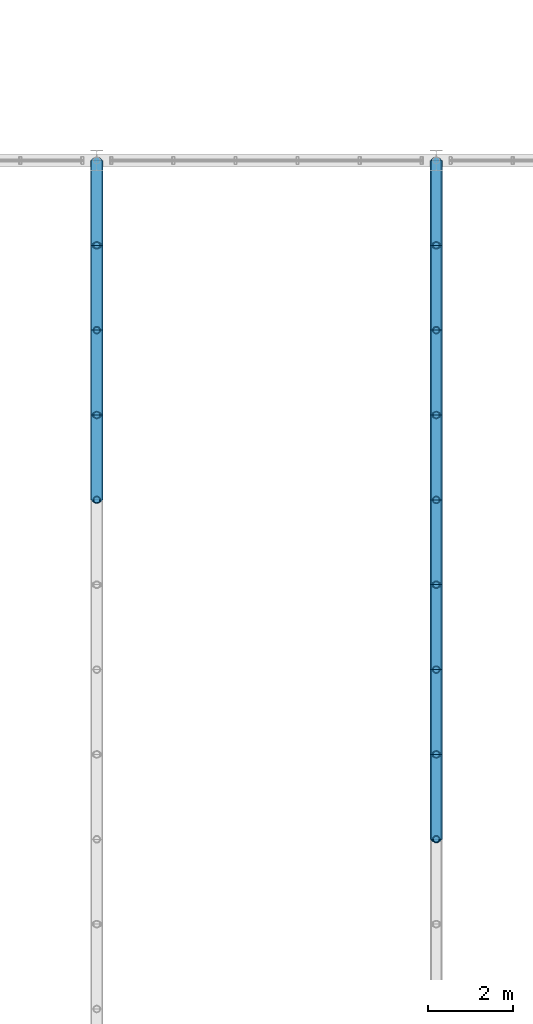
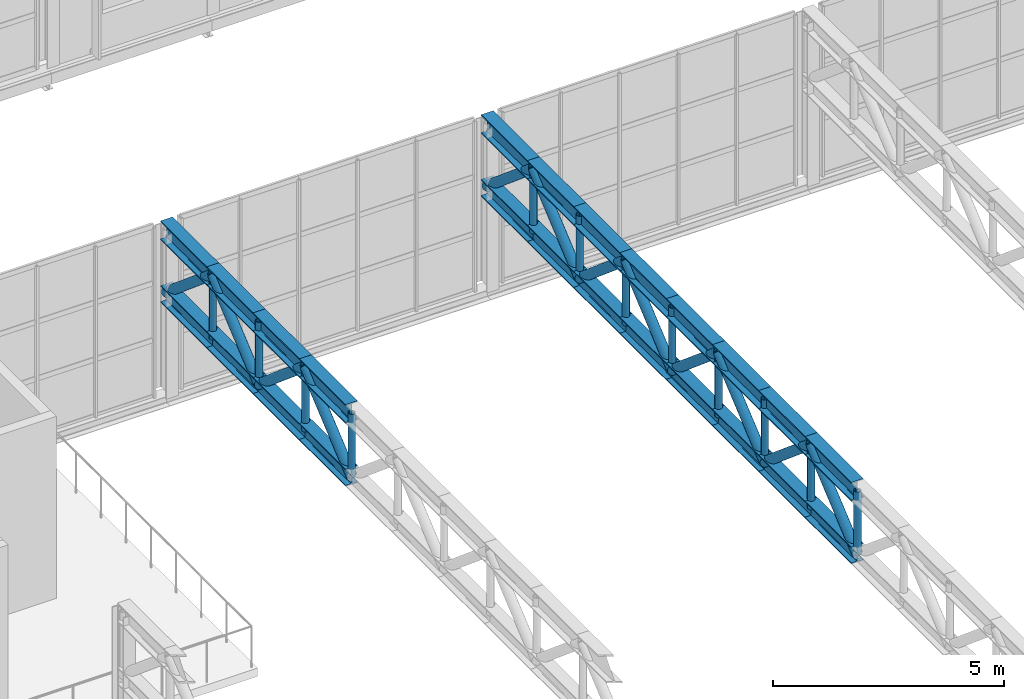
# One storey, part 50 of 143: 48 members.
"""IFC4 building model written with IfcOpenShell, lengths in metres."""

from ifc_helpers import new_model, si_unit, derived_unit, direction, frame, origin, origin_2d, place, context, subcontext, project, spatial, hollow_circle, i_section, extrude, material, material_profile, profile_set, type_object, element, save


model = new_model("IFC4")

# Units and contexts
model_context = context("Model", 3, precision=1e-05, world=origin(), true_north=direction((0.0, 1.0)))
body_context = subcontext(model_context, "Body", "Model", "MODEL_VIEW")
ifc_project = project(units=[si_unit("LENGTHUNIT", "METRE"), si_unit("AREAUNIT", "SQUARE_METRE"), si_unit("VOLUMEUNIT", "CUBIC_METRE"), si_unit("PLANEANGLEUNIT", "RADIAN"), si_unit("MASSUNIT", "GRAM", prefix="KILO"), derived_unit("THERMALTRANSMITTANCEUNIT", [(si_unit("POWERUNIT", "WATT"), 1), (si_unit("LENGTHUNIT", "METRE"), -2), (si_unit("THERMODYNAMICTEMPERATUREUNIT", "KELVIN"), -1)])], contexts=[model_context])

# Site, building, storey
site_placement = place(None, origin())
site = spatial("IfcSite", under=ifc_project, at=site_placement, CompositionType="ELEMENT")
building_placement = place(site_placement, origin())
building = spatial("IfcBuilding", under=site, at=building_placement, Name="Keldorne Ridge Multi-Sports Centre", CompositionType="ELEMENT")
storey_placement = place(building_placement, frame((0.0, 0.0, 4.800048828125)))
storey = spatial("IfcBuildingStorey", under=building, at=storey_placement, Name="L01", CompositionType="ELEMENT", Elevation=4.800048828125)

# Members
ifc_material = material(Name="Steel S355", Category="steel")
ifc_material_profile_1 = material_profile(ifc_material, i_section(OverallWidth=0.300048828125, OverallDepth=0.5, WebThickness=0.014404296875, FlangeThickness=0.028076171875, FilletRadius=0.027099609375, at=origin_2d()), Name="HEB 500")
ifc_profile_set_1 = profile_set([ifc_material_profile_1], Name="Steel S355")
member_type_1 = type_object("IfcMemberType", Name="MEM-TC-03", PredefinedType="CHORD", material=ifc_profile_set_1)
for number, where, z_axis, x_axis, name in (
    (1, (120.0, 46.0, 4.31005859375), (0.0, 1.0, 0.0), (-1.0, 0.0, 0.0), "Stacked Courts Warren TRUSS WT-L02-03 top chord 21"),
    (2, (120.0, 48.0, 4.31005859375), (0.0, 1.0, 0.0), (-1.0, 0.0, 0.0), "Stacked Courts Warren TRUSS WT-L02-03 top chord 22"),
    (3, (120.0, 50.0, 4.31005859375), (0.0, 1.0, 0.0), (-1.0, 0.0, 0.0), "Stacked Courts Warren TRUSS WT-L02-03 top chord 23"),
    (4, (120.0, 52.0, 4.31005859375), (0.0, 1.0, 0.0), (-1.0, 0.0, 0.0), "Stacked Courts Warren TRUSS WT-L02-03 top chord 24"),
    (5, (128.0, 38.0, 4.31005859375), (0.0, 1.0, 0.0), (-1.0, 0.0, 0.0), "Stacked Courts Warren TRUSS WT-L02-04 top chord 17"),
    (6, (128.0, 40.0, 4.31005859375), (0.0, 1.0, 0.0), (-1.0, 0.0, 0.0), "Stacked Courts Warren TRUSS WT-L02-04 top chord 18"),
    (7, (128.0, 42.0, 4.31005859375), (0.0, 1.0, 0.0), (-1.0, 0.0, 0.0), "Stacked Courts Warren TRUSS WT-L02-04 top chord 19"),
    (8, (128.0, 44.0, 4.31005859375), (0.0, 1.0, 0.0), (-1.0, 0.0, 0.0), "Stacked Courts Warren TRUSS WT-L02-04 top chord 20"),
    (9, (128.0, 46.0, 4.31005859375), (0.0, 1.0, 0.0), (-1.0, 0.0, 0.0), "Stacked Courts Warren TRUSS WT-L02-04 top chord 21"),
    (10, (128.0, 48.0, 4.31005859375), (0.0, 1.0, 0.0), (-1.0, 0.0, 0.0), "Stacked Courts Warren TRUSS WT-L02-04 top chord 22"),
    (11, (128.0, 50.0, 4.31005859375), (0.0, 1.0, 0.0), (-1.0, 0.0, 0.0), "Stacked Courts Warren TRUSS WT-L02-04 top chord 23"),
    (12, (128.0, 52.0, 4.31005859375), (0.0, 1.0, 0.0), (-1.0, 0.0, 0.0), "Stacked Courts Warren TRUSS WT-L02-04 top chord 24"),
):
    element("IfcMember", number, at=place(storey_placement, frame(where, z_axis=z_axis, x_axis=x_axis)), inside=storey, type_object=member_type_1, Name=name, PredefinedType="CHORD", context=body_context, shape_type="SweptSolid", body=[
        extrude(i_section(OverallWidth=0.300048828125, OverallDepth=0.5, WebThickness=0.014404296875, FlangeThickness=0.028076171875, FilletRadius=0.027099609375, at=origin_2d()), origin(), (0.0, 0.0, 1.0), 2.0),
    ])
ifc_material_profile_2 = material_profile(ifc_material, i_section(OverallWidth=0.300048828125, OverallDepth=0.449951171875, WebThickness=0.013916015625, FlangeThickness=0.02587890625, FilletRadius=0.027099609375, at=origin_2d()), Name="HEB 450")
ifc_profile_set_2 = profile_set([ifc_material_profile_2], Name="Steel S355")
member_type_2 = type_object("IfcMemberType", Name="MEM-TC-04", PredefinedType="CHORD", material=ifc_profile_set_2)
for number, where, z_axis, x_axis, name in (
    (13, (120.0, 46.0, 2.6298828125), (0.0, 1.0, 0.0), (-1.0, 0.0, 0.0), "Stacked Courts Warren TRUSS WT-L02-03 bottom chord 21"),
    (14, (120.0, 48.0, 2.6298828125), (0.0, 1.0, 0.0), (-1.0, 0.0, 0.0), "Stacked Courts Warren TRUSS WT-L02-03 bottom chord 22"),
    (15, (120.0, 50.0, 2.6298828125), (0.0, 1.0, 0.0), (-1.0, 0.0, 0.0), "Stacked Courts Warren TRUSS WT-L02-03 bottom chord 23"),
    (16, (120.0, 52.0, 2.6298828125), (0.0, 1.0, 0.0), (-1.0, 0.0, 0.0), "Stacked Courts Warren TRUSS WT-L02-03 bottom chord 24"),
    (17, (128.0, 38.0, 2.6298828125), (0.0, 1.0, 0.0), (-1.0, 0.0, 0.0), "Stacked Courts Warren TRUSS WT-L02-04 bottom chord 17"),
    (18, (128.0, 40.0, 2.6298828125), (0.0, 1.0, 0.0), (-1.0, 0.0, 0.0), "Stacked Courts Warren TRUSS WT-L02-04 bottom chord 18"),
    (19, (128.0, 42.0, 2.6298828125), (0.0, 1.0, 0.0), (-1.0, 0.0, 0.0), "Stacked Courts Warren TRUSS WT-L02-04 bottom chord 19"),
    (20, (128.0, 44.0, 2.6298828125), (0.0, 1.0, 0.0), (-1.0, 0.0, 0.0), "Stacked Courts Warren TRUSS WT-L02-04 bottom chord 20"),
    (21, (128.0, 46.0, 2.6298828125), (0.0, 1.0, 0.0), (-1.0, 0.0, 0.0), "Stacked Courts Warren TRUSS WT-L02-04 bottom chord 21"),
    (22, (128.0, 48.0, 2.6298828125), (0.0, 1.0, 0.0), (-1.0, 0.0, 0.0), "Stacked Courts Warren TRUSS WT-L02-04 bottom chord 22"),
    (23, (128.0, 50.0, 2.6298828125), (0.0, 1.0, 0.0), (-1.0, 0.0, 0.0), "Stacked Courts Warren TRUSS WT-L02-04 bottom chord 23"),
    (24, (128.0, 52.0, 2.6298828125), (0.0, 1.0, 0.0), (-1.0, 0.0, 0.0), "Stacked Courts Warren TRUSS WT-L02-04 bottom chord 24"),
):
    element("IfcMember", number, at=place(storey_placement, frame(where, z_axis=z_axis, x_axis=x_axis)), inside=storey, type_object=member_type_2, Name=name, PredefinedType="CHORD", context=body_context, shape_type="SweptSolid", body=[
        extrude(i_section(OverallWidth=0.300048828125, OverallDepth=0.449951171875, WebThickness=0.013916015625, FlangeThickness=0.02587890625, FilletRadius=0.027099609375, at=origin_2d()), origin(), (0.0, 0.0, 1.0), 2.0),
    ])
ifc_material_profile_3 = material_profile(ifc_material, hollow_circle(Radius=0.122314453125, WallThickness=0.012451171875, at=origin_2d()), Name="CHS 244.5x12.5")
ifc_profile_set_3 = profile_set([ifc_material_profile_3], Name="Steel S355")
member_type_3 = type_object("IfcMemberType", Name="MEM-TD-02", PredefinedType="BRACE", material=ifc_profile_set_3)
for number, where, z_axis, x_axis, name in (
    (25, (120.0, 46.0, 2.6298828125), (0.0, 0.765671721121, 0.643231541108), (-1.0, 0.0, 0.0), "Stacked Courts Warren TRUSS WT-L02-03 diagonal 21"),
    (26, (120.0, 48.0, 4.31005859375), (0.0, 0.765671721121, -0.643231541108), (-1.0, 0.0, 0.0), "Stacked Courts Warren TRUSS WT-L02-03 diagonal 22"),
    (27, (120.0, 50.0, 2.6298828125), (0.0, 0.765671721121, 0.643231541108), (-1.0, 0.0, 0.0), "Stacked Courts Warren TRUSS WT-L02-03 diagonal 23"),
    (28, (120.0, 52.0, 4.31005859375), (0.0, 0.765671721121, -0.643231541108), (-1.0, 0.0, 0.0), "Stacked Courts Warren TRUSS WT-L02-03 diagonal 24"),
    (29, (128.0, 38.0, 2.6298828125), (0.0, 0.765671721121, 0.643231541108), (-1.0, 0.0, 0.0), "Stacked Courts Warren TRUSS WT-L02-04 diagonal 17"),
    (30, (128.0, 40.0, 4.31005859375), (0.0, 0.765671721121, -0.643231541108), (-1.0, 0.0, 0.0), "Stacked Courts Warren TRUSS WT-L02-04 diagonal 18"),
    (31, (128.0, 42.0, 2.6298828125), (0.0, 0.765671721121, 0.643231541108), (-1.0, 0.0, 0.0), "Stacked Courts Warren TRUSS WT-L02-04 diagonal 19"),
    (32, (128.0, 44.0, 4.31005859375), (0.0, 0.765671721121, -0.643231541108), (-1.0, 0.0, 0.0), "Stacked Courts Warren TRUSS WT-L02-04 diagonal 20"),
    (33, (128.0, 46.0, 2.6298828125), (0.0, 0.765671721121, 0.643231541108), (-1.0, 0.0, 0.0), "Stacked Courts Warren TRUSS WT-L02-04 diagonal 21"),
    (34, (128.0, 48.0, 4.31005859375), (0.0, 0.765671721121, -0.643231541108), (-1.0, 0.0, 0.0), "Stacked Courts Warren TRUSS WT-L02-04 diagonal 22"),
    (35, (128.0, 50.0, 2.6298828125), (0.0, 0.765671721121, 0.643231541108), (-1.0, 0.0, 0.0), "Stacked Courts Warren TRUSS WT-L02-04 diagonal 23"),
    (36, (128.0, 52.0, 4.31005859375), (0.0, 0.765671721121, -0.643231541108), (-1.0, 0.0, 0.0), "Stacked Courts Warren TRUSS WT-L02-04 diagonal 24"),
):
    element("IfcMember", number, at=place(storey_placement, frame(where, z_axis=z_axis, x_axis=x_axis)), inside=storey, type_object=member_type_3, Name=name, PredefinedType="BRACE", context=body_context, shape_type="SweptSolid", body=[
        extrude(hollow_circle(Radius=0.122314453125, WallThickness=0.012451171875, at=origin_2d()), origin(), (0.0, 0.0, 1.0), 2.612060546875),
    ])
ifc_material_profile_4 = material_profile(ifc_material, hollow_circle(Radius=0.084228515625, WallThickness=0.010009765625, at=origin_2d()), Name="CHS 168.3x10")
ifc_profile_set_4 = profile_set([ifc_material_profile_4], Name="Steel S355")
member_type_4 = type_object("IfcMemberType", Name="MEM-TV-01", PredefinedType="STRUT", material=ifc_profile_set_4)
for number, where, z_axis, x_axis, name in (
    (37, (120.0, 46.0, 2.6298828125), (0.0, 0.0, 1.0), (1.0, 0.0, 0.0), "Stacked Courts Warren TRUSS WT-L02-03 post 21"),
    (38, (120.0, 48.0, 2.6298828125), (0.0, 0.0, 1.0), (1.0, 0.0, 0.0), "Stacked Courts Warren TRUSS WT-L02-03 post 22"),
    (39, (120.0, 50.0, 2.6298828125), (0.0, 0.0, 1.0), (1.0, 0.0, 0.0), "Stacked Courts Warren TRUSS WT-L02-03 post 23"),
    (40, (120.0, 52.0, 2.6298828125), (0.0, 0.0, 1.0), (1.0, 0.0, 0.0), "Stacked Courts Warren TRUSS WT-L02-03 post 24"),
    (41, (128.0, 38.0, 2.6298828125), (0.0, 0.0, 1.0), (1.0, 0.0, 0.0), "Stacked Courts Warren TRUSS WT-L02-04 post 17"),
    (42, (128.0, 40.0, 2.6298828125), (0.0, 0.0, 1.0), (1.0, 0.0, 0.0), "Stacked Courts Warren TRUSS WT-L02-04 post 18"),
    (43, (128.0, 42.0, 2.6298828125), (0.0, 0.0, 1.0), (1.0, 0.0, 0.0), "Stacked Courts Warren TRUSS WT-L02-04 post 19"),
    (44, (128.0, 44.0, 2.6298828125), (0.0, 0.0, 1.0), (1.0, 0.0, 0.0), "Stacked Courts Warren TRUSS WT-L02-04 post 20"),
    (45, (128.0, 46.0, 2.6298828125), (0.0, 0.0, 1.0), (1.0, 0.0, 0.0), "Stacked Courts Warren TRUSS WT-L02-04 post 21"),
    (46, (128.0, 48.0, 2.6298828125), (0.0, 0.0, 1.0), (1.0, 0.0, 0.0), "Stacked Courts Warren TRUSS WT-L02-04 post 22"),
    (47, (128.0, 50.0, 2.6298828125), (0.0, 0.0, 1.0), (1.0, 0.0, 0.0), "Stacked Courts Warren TRUSS WT-L02-04 post 23"),
    (48, (128.0, 52.0, 2.6298828125), (0.0, 0.0, 1.0), (1.0, 0.0, 0.0), "Stacked Courts Warren TRUSS WT-L02-04 post 24"),
):
    element("IfcMember", number, at=place(storey_placement, frame(where, z_axis=z_axis, x_axis=x_axis)), inside=storey, type_object=member_type_4, Name=name, PredefinedType="STRUT", context=body_context, shape_type="SweptSolid", body=[
        extrude(hollow_circle(Radius=0.084228515625, WallThickness=0.010009765625, at=origin_2d()), origin(), (0.0, 0.0, 1.0), 1.68017578125),
    ])

save(model, "model.ifc")
